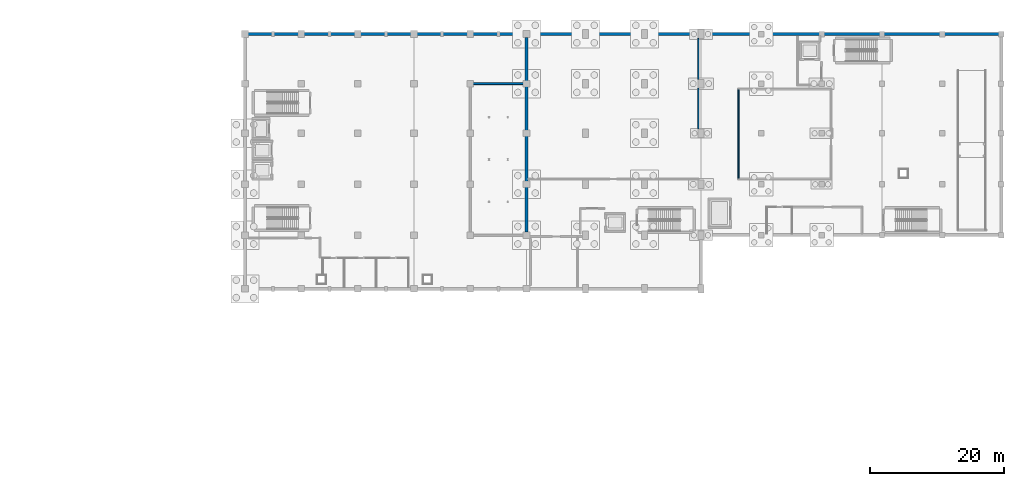
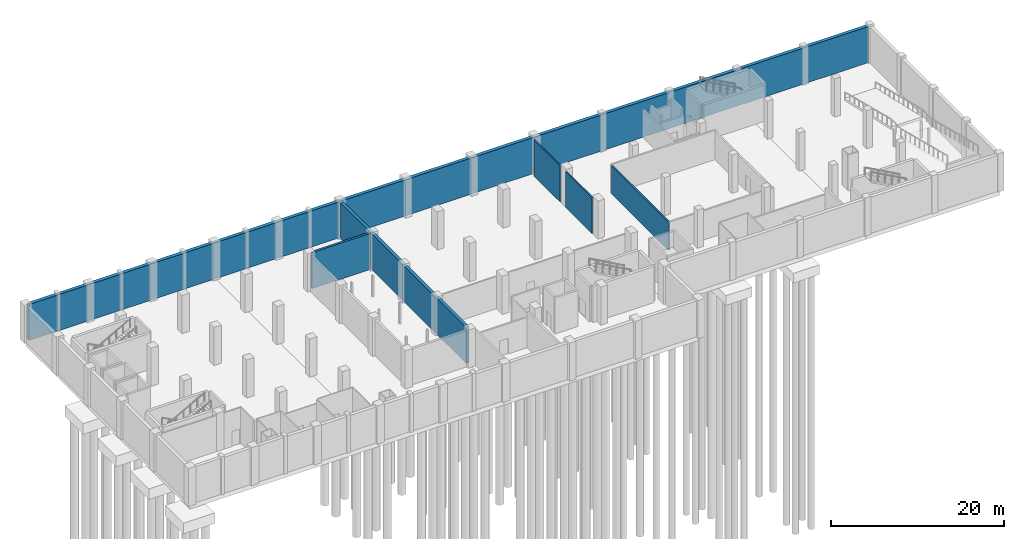
# One storey, part 13 of 20: 6 walls.
"""IFC4 building model written with IfcOpenShell, lengths in metres."""

from ifc_helpers import new_model, si_unit, direction, frame, frame_2d, origin, place, context, subcontext, project, spatial, rectangle, extrude, material, layer, layer_set, type_object, element, save


model = new_model("IFC4")

# Units and contexts
model_context = context("Model", 3, precision=1e-05, world=origin(), true_north=direction((0.0, 1.0)))
body_context = subcontext(model_context, "Body", "Model", "MODEL_VIEW")
ifc_project = project(units=[si_unit("LENGTHUNIT", "METRE"), si_unit("AREAUNIT", "SQUARE_METRE"), si_unit("VOLUMEUNIT", "CUBIC_METRE"), si_unit("PLANEANGLEUNIT", "RADIAN"), si_unit("MASSUNIT", "GRAM", prefix="KILO")], contexts=[model_context])

# Site, building, storey
site_placement = place(None, origin())
site = spatial("IfcSite", under=ifc_project, at=site_placement, CompositionType="ELEMENT")
building_placement = place(site_placement, origin())
building = spatial("IfcBuilding", under=site, at=building_placement, Name="Shengluoqiao Park Theatre", CompositionType="ELEMENT")
storey_placement = place(building_placement, frame((0.0, 0.0, -5.39990234375)))
storey = spatial("IfcBuildingStorey", under=building, at=storey_placement, Name="B1", CompositionType="ELEMENT", Elevation=-5.39990234375)

# Walls
ifc_material_1 = material(Name="Concrete blockwork B06", Category="masonry")
ifc_layer_1 = layer(ifc_material_1, 0.2099609375, Name="Concrete blockwork B06")
ifc_layer_set_1 = layer_set([ifc_layer_1], Name="Concrete blockwork B06")
wall_type_1 = type_object("IfcWallType", Name="INT-WL-CMP210", PredefinedType="PARTITIONING", material=ifc_layer_set_1)
wall_1_placement = place(storey_placement, frame((118.0, 92.510986328125, 0.0), z_axis=(0.0, 0.0, 1.0), x_axis=(0.0, 1.0, 0.0)))
element("IfcWall", 1, at=wall_1_placement, inside=storey, type_object=wall_type_1, Name="Chiller and Heat-Pump Plant Room Partition W", PredefinedType="PARTITIONING", context=body_context, shape_type="SweptSolid", body=[
    extrude(rectangle(XDim=13.177978515625, YDim=0.2099609375, at=frame_2d((6.5888671875, 0.0))), origin(), (0.0, 0.0, 1.0), 3.977783203125),
])
ifc_material_2 = material(Name="Gypsum acoustic stud", Category="gypsum")
ifc_layer_2 = layer(ifc_material_2, 0.175048828125, Name="Gypsum acoustic stud")
ifc_layer_set_2 = layer_set([ifc_layer_2], Name="Gypsum acoustic stud")
wall_type_2 = type_object("IfcWallType", Name="INT-WL-COR175", PredefinedType="PARTITIONING", material=ifc_layer_set_2)
wall_2_placement = place(storey_placement, frame((112.0, 99.85595703125, 0.0), z_axis=(0.0, 0.0, 1.0), x_axis=(0.0, 1.0, 0.0)))
element("IfcWall", 2, at=wall_2_placement, inside=storey, type_object=wall_type_2, Name="Understage Machinery Room Partition E", PredefinedType="PARTITIONING", context=body_context, shape_type="SweptSolid", body=[
    extrude(rectangle(XDim=6.088134765625, YDim=0.175048828125, at=frame_2d((3.0439453125, 0.0))), origin(), (0.0, 0.0, 1.0), 5.099853515625),
])
wall_3_placement = place(storey_placement, frame((112.0, 107.256103515625, 0.0), z_axis=(0.0, 0.0, 1.0), x_axis=(0.0, 1.0, 0.0)))
element("IfcWall", 3, at=wall_3_placement, inside=storey, type_object=wall_type_2, Name="Understage Machinery Room Partition E", PredefinedType="PARTITIONING", context=body_context, shape_type="SweptSolid", body=[
    extrude(rectangle(XDim=6.087890625, YDim=0.175048828125, at=frame_2d((3.0439453125, 0.0))), origin(), (0.0, 0.0, 1.0), 5.099853515625),
])
ifc_material_3 = material(Name="Concrete C40", Category="concrete")
ifc_layer_3 = layer(ifc_material_3, 0.449951171875, Name="Concrete C40")
ifc_layer_set_3 = layer_set([ifc_layer_3], Name="Concrete C40")
wall_type_3 = type_object("IfcWallType", Name="STR-SW-B1RET450", PredefinedType="SHEAR", material=ifc_layer_set_3)
wall_4_placement = place(storey_placement, frame((156.89990234375, 114.0, 0.0), z_axis=(0.0, 0.0, 1.0), x_axis=(-1.0, 0.0, 0.0)))
element("IfcWall", 4, at=wall_4_placement, inside=storey, type_object=wall_type_3, Name="B1 Basement Retaining Wall 0005", PredefinedType="SHEAR", context=body_context, shape_type="SweptSolid", body=[
    extrude(rectangle(XDim=112.199951171875, YDim=0.449951171875, at=frame_2d((56.10009765625, 0.0))), origin(), (0.0, 0.0, 1.0), 5.099853515625),
])
ifc_layer_4 = layer(ifc_material_3, 0.2900390625, Name="Concrete C40")
ifc_layer_set_4 = layer_set([ifc_layer_4], Name="Concrete C40")
wall_type_4 = type_object("IfcWallType", Name="STR-SW-PIT290", PredefinedType="SHEAR", material=ifc_layer_set_4)
wall_5_placement = place(storey_placement, frame((78.300048828125, 106.60009765625, 0.0), z_axis=(0.0, 0.0, 1.0), x_axis=(1.0, 0.0, 0.0)))
element("IfcWall", 5, at=wall_5_placement, inside=storey, type_object=wall_type_4, Name="B1 Orchestra Pit North Wall 0015", PredefinedType="SHEAR", context=body_context, shape_type="SweptSolid", body=[
    extrude(rectangle(XDim=7.800048828125, YDim=0.2900390625, at=frame_2d((3.89990234375, 0.0))), origin(), (0.0, 0.0, 1.0), 5.099853515625),
])
ifc_material_4 = material(Name="Concrete C50", Category="concrete")
ifc_layer_5 = layer(ifc_material_4, 0.39990234375, Name="Concrete C50")
ifc_layer_set_5 = layer_set([ifc_layer_5], Name="Concrete C50")
wall_type_5 = type_object("IfcWallType", Name="STR-SW-PROSC400", PredefinedType="SHEAR", material=ifc_layer_set_5)
wall_6_placement = place(storey_placement, frame((86.39990234375, 84.5, 0.0), z_axis=(0.0, 0.0, 1.0), x_axis=(0.0, 1.0, 0.0)))
element("IfcWall", 6, at=wall_6_placement, inside=storey, type_object=wall_type_5, Name="B1 Proscenium Fire Wall 0016", PredefinedType="SHEAR", context=body_context, shape_type="SweptSolid", body=[
    extrude(rectangle(XDim=29.0, YDim=0.39990234375, at=frame_2d((14.5, 0.0))), origin(), (0.0, 0.0, 1.0), 5.099853515625),
])

save(model, "model.ifc")
